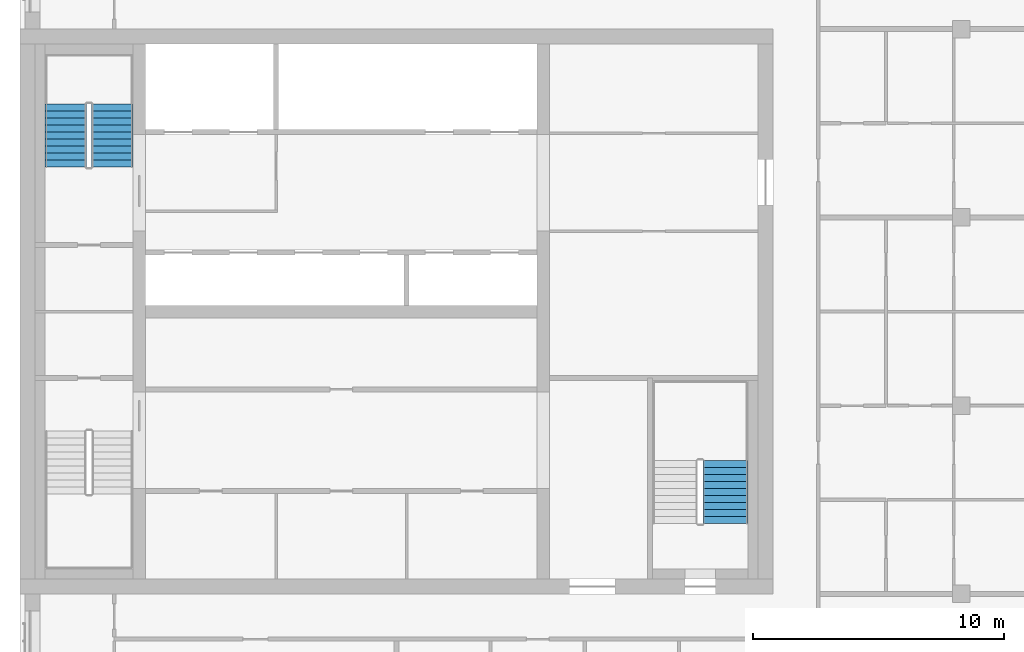
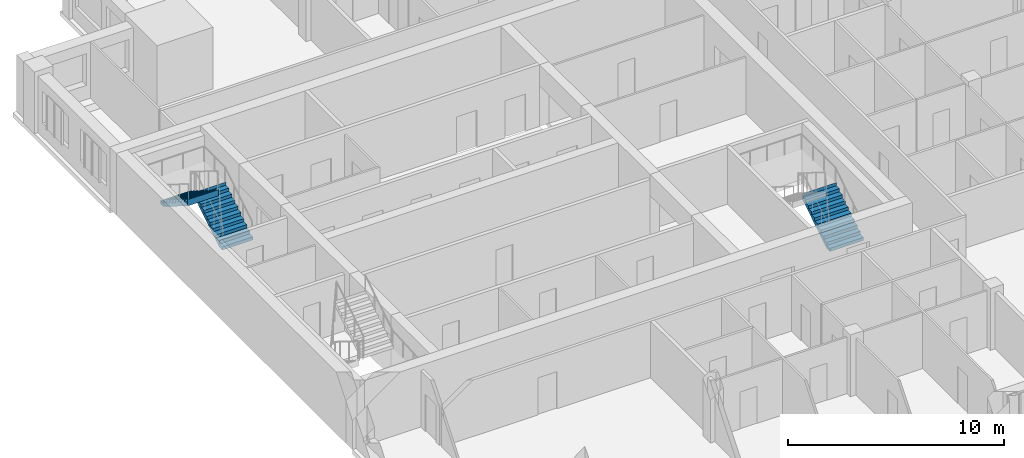
# One storey, part 9 of 10: 3 stair flights, 2 elements without a shape of their own.
"""IFC4 building model written with IfcOpenShell, lengths in metres."""

import ifcopenshell
import ifcopenshell.guid

model = None  # the IFC model being written
_history = None  # IfcOwnerHistory: only IFC2X3 demands one
_inside = {}  # id of a spatial element -> (the spatial element, [elements in it])
_under = {}  # id of a project, library or spatial element -> (it, [spatial elements below it])
_declared = {}  # id of a project -> (the project, [libraries it declares])
_typed = {}  # id of a type object -> (the type object, [elements of that type])
_made_of = {}  # id of a material, layer set ... -> (it, [elements and type objects made of it])


def new_model(schema):
    """Start an empty IFC model of exactly this schema.

    Asked for "IFC4X3", IfcOpenShell would pick the latest addendum, in which some entities
    have other attributes; the version numbers below select the first issue.
    IFC2X3 requires an IfcOwnerHistory on every rooted entity: one is made here for all.
    """
    global model, _history
    if schema == "IFC4X3":
        model = ifcopenshell.file(schema_version=(4, 3, 0, 0))
    else:
        model = ifcopenshell.file(schema=schema)
    _inside.clear()
    _under.clear()
    _declared.clear()
    _typed.clear()
    _made_of.clear()
    _history = None
    if model.schema == "IFC2X3":
        org = make("IfcOrganization", Name="unknown")
        user = make(
            "IfcPersonAndOrganization",
            ThePerson=make("IfcPerson", FamilyName="unknown"),
            TheOrganization=org,
        )
        app = make(
            "IfcApplication",
            ApplicationDeveloper=org,
            Version="unknown",
            ApplicationFullName="unknown",
            ApplicationIdentifier="unknown",
        )
        _history = make(
            "IfcOwnerHistory",
            OwningUser=user,
            OwningApplication=app,
            ChangeAction="ADDED",
            CreationDate=0,
        )
    return model


def make(cls, **values):
    """One entity of the class cls with the attributes given. An attribute that is None is left unset."""
    return model.create_entity(
        cls, **{name: value for name, value in values.items() if value is not None}
    )


def rooted(cls, **values):
    """An entity with a GlobalId (a new one), such as an element, a storey or a relation."""
    return make(cls, GlobalId=ifcopenshell.guid.new(), OwnerHistory=_history, **values)


def si_unit(unit_type, name, prefix=None):
    """IfcSIUnit, for example si_unit("LENGTHUNIT", "METRE", prefix="MILLI")."""
    return make("IfcSIUnit", UnitType=unit_type, Prefix=prefix, Name=name)


def assignment(units):
    """IfcUnitAssignment: the units of a project."""
    return None if units is None else make("IfcUnitAssignment", Units=units)


def point(xyz):
    """IfcCartesianPoint."""
    return None if xyz is None else make("IfcCartesianPoint", Coordinates=xyz)


def direction(xyz):
    """IfcDirection."""
    return None if xyz is None else make("IfcDirection", DirectionRatios=xyz)


def frame(location, z_axis=None, x_axis=None):
    """IfcAxis2Placement3D, a coordinate frame: its origin and axes. An axis left out is left unset."""
    return make(
        "IfcAxis2Placement3D",
        Location=point(location),
        Axis=direction(z_axis),
        RefDirection=direction(x_axis),
    )


def origin():
    """The frame at (0, 0, 0) with its axes left unset."""
    return frame((0.0, 0.0, 0.0))


def place(relative_to, where):
    """IfcLocalPlacement: puts the frame where relative to a parent placement (None: the world)."""
    return make(
        "IfcLocalPlacement", PlacementRelTo=relative_to, RelativePlacement=where
    )


def context(
    kind, dimensions, precision=None, world=None, true_north=None, identifier=None
):
    """IfcGeometricRepresentationContext, for example the 3D "Model" context."""
    return make(
        "IfcGeometricRepresentationContext",
        ContextIdentifier=identifier,
        ContextType=kind,
        CoordinateSpaceDimension=dimensions,
        Precision=precision,
        WorldCoordinateSystem=world,
        TrueNorth=true_north,
    )


def subcontext(parent, identifier, kind, view, scale=None):
    """IfcGeometricRepresentationSubContext, for example "Body" below "Model"."""
    return make(
        "IfcGeometricRepresentationSubContext",
        ContextIdentifier=identifier,
        ContextType=kind,
        ParentContext=parent,
        TargetScale=scale,
        TargetView=view,
    )


def project(units=None, contexts=None):
    """IfcProject with its units and contexts."""
    return rooted(
        "IfcProject",
        Name="project",
        RepresentationContexts=contexts,
        UnitsInContext=assignment(units),
    )


def spatial(cls, under=None, at=None, **own):
    """A site, building, storey or space (cls), placed at a placement, below another one or the project."""
    s = rooted(cls, ObjectPlacement=at, **own)
    if under is not None:
        _under.setdefault(under.id(), (under, []))[1].append(s)
    return s


def polyline(points):
    """IfcPolyline through the points."""
    return make("IfcPolyline", Points=[point(p) for p in points])


def outline(outer, holes=None, kind="AREA"):
    """IfcArbitraryClosedProfileDef: a profile drawn as a closed curve; with holes, ...WithVoids."""
    if holes is None:
        return make("IfcArbitraryClosedProfileDef", ProfileType=kind, OuterCurve=outer)
    return make(
        "IfcArbitraryProfileDefWithVoids",
        ProfileType=kind,
        OuterCurve=outer,
        InnerCurves=holes,
    )


def extrude(swept, where, along, depth):
    """IfcExtrudedAreaSolid: the profile swept, set in the frame where, extruded along a direction by depth."""
    return make(
        "IfcExtrudedAreaSolid",
        SweptArea=swept,
        Position=where,
        ExtrudedDirection=direction(along),
        Depth=depth,
    )


def shape(context_of_items, identifier, shape_type, items):
    """IfcShapeRepresentation: the items that make up one representation, for example the "Body"."""
    return make(
        "IfcShapeRepresentation",
        ContextOfItems=context_of_items,
        RepresentationIdentifier=identifier,
        RepresentationType=shape_type,
        Items=items,
    )


def material(Name=None, Category=None):
    """IfcMaterial."""
    return make("IfcMaterial", Name=Name, Category=Category)


def made_of(thing, what):
    """Note that an element or type object is made of a material, layer set ...; save() writes the relation."""
    if what is not None:
        _made_of.setdefault(what.id(), (what, []))[1].append(thing)
    return thing


def type_object(cls, material=None, **own):
    """A type object (cls), such as IfcWallType, which elements share."""
    return made_of(rooted(cls, **own), material)


def element(
    cls,
    number,
    at=None,
    inside=None,
    cuts=None,
    type_object=None,
    material=None,
    context=None,
    identifier="Body",
    shape_type=None,
    held_by="IfcProductDefinitionShape",
    body=None,
    shapes=None,
    **own,
):
    """One element of the class cls, such as IfcWall. Its Tag is "e" and its number.

    at: its placement. inside: the storey or other place that contains it. cuts: it is an
    opening in that element (IfcRelVoidsElement). A single representation is given by context,
    identifier, shape_type and body (its items); several are given by shapes. held_by: the class
    of the entity that holds the representations. save() writes the other relations.
    """
    e = rooted(cls, Tag="e%d" % number, ObjectPlacement=at, **own)
    if body is not None:
        shapes = [shape(context, identifier, shape_type, body)]
    if shapes is not None:
        e.Representation = make(held_by, Representations=shapes)
    if inside is not None:
        _inside.setdefault(inside.id(), (inside, []))[1].append(e)
    if cuts is not None:
        rooted(
            "IfcRelVoidsElement", RelatingBuildingElement=cuts, RelatedOpeningElement=e
        )
    if type_object is not None:
        _typed.setdefault(type_object.id(), (type_object, []))[1].append(e)
    return made_of(e, material)


def aggregate(whole, parts):
    """IfcRelAggregates: a whole, such as a stair, and the parts it consists of."""
    return rooted("IfcRelAggregates", RelatingObject=whole, RelatedObjects=parts)


def save(model, path):
    """Write the relations noted so far, then the file.

    IfcRelAggregates (storeys below a building ...), IfcRelContainedInSpatialStructure (elements
    in a storey), IfcRelDefinesByType, IfcRelAssociatesMaterial and IfcRelDeclares: one each for
    every whole, place, type object, material and project.
    """
    for whole, parts in _under.values():
        aggregate(whole, parts)
    for where, things in _inside.values():
        rooted(
            "IfcRelContainedInSpatialStructure",
            RelatedElements=things,
            RelatingStructure=where,
        )
    for kind, things in _typed.values():
        rooted("IfcRelDefinesByType", RelatedObjects=things, RelatingType=kind)
    for what, things in _made_of.values():
        rooted("IfcRelAssociatesMaterial", RelatedObjects=things, RelatingMaterial=what)
    for by, libraries in _declared.values():
        rooted("IfcRelDeclares", RelatingContext=by, RelatedDefinitions=libraries)
    model.write(path)


model = new_model("IFC4")

# Units and contexts
model_context = context("Model", 3, precision=1e-05, world=origin(), true_north=direction((0.0, 1.0)))
body_context = subcontext(model_context, "Body", "Model", "MODEL_VIEW")
ifc_project = project(units=[si_unit("LENGTHUNIT", "METRE"), si_unit("AREAUNIT", "SQUARE_METRE"), si_unit("VOLUMEUNIT", "CUBIC_METRE"), si_unit("PLANEANGLEUNIT", "RADIAN"), si_unit("MASSUNIT", "GRAM", prefix="KILO")], contexts=[model_context])

# Site, building, storey
site_placement = place(None, origin())
site = spatial("IfcSite", under=ifc_project, at=site_placement, CompositionType="ELEMENT")
building_placement = place(site_placement, origin())
building = spatial("IfcBuilding", under=site, at=building_placement, Name="Tamorin Gate", CompositionType="ELEMENT")
storey_placement = place(building_placement, frame((0.0, 0.0, 283.699951171875)))
storey = spatial("IfcBuildingStorey", under=building, at=storey_placement, Name="L71", CompositionType="ELEMENT", Elevation=283.699951171875)

# Stair, stair flights
ifc_material = material(Name="Concrete C40/50", Category="concrete")
stair_type = type_object("IfcStairType", Name="Exit stair", PredefinedType="HALF_TURN_STAIR", material=ifc_material)
stair_1_placement = place(storey_placement, origin())
stair_1 = element("IfcStair", 1, at=stair_1_placement, inside=storey, type_object=stair_type, Name="L71 stair ST2", PredefinedType="HALF_TURN_STAIR")
stair_flight_type = type_object("IfcStairFlightType", Name="Exit stair flight", PredefinedType="STRAIGHT", material=ifc_material)
stair_flight_1_placement = place(storey_placement, frame((33.675048828125, 77.0, 0.0), z_axis=(0.0, 0.0, 1.0), x_axis=(0.0, 1.0, 0.0)))
stair_flight_1 = element("IfcStairFlight", 2, at=stair_flight_1_placement, type_object=stair_flight_type, Name="ST2 flight 1", NumberOfRisers=10, NumberOfTreads=9, PredefinedType="STRAIGHT", RiserHeight=0.175, TreadLength=0.28, context=body_context, shape_type="SweptSolid", body=[
    extrude(outline(polyline([(-0.00048828125, 0.0), (-0.00048828125, 0.001708984375), (-0.00048828125, 0.00341796875), (-0.00048828125, 0.005126953125), (-0.00048828125, 0.0068359375), (-0.00048828125, 0.008544921875), (-0.00048828125, 0.010498046875), (-0.00048828125, 0.01220703125), (-0.00048828125, 0.013916015625), (-0.00048828125, 0.015625), (-0.00048828125, 0.017333984375), (-0.00048828125, 0.01904296875), (-0.00048828125, 0.020751953125), (-0.00048828125, 0.0224609375), (-0.00048828125, 0.024169921875), (-0.00048828125, 0.02587890625), (-0.00048828125, 0.02783203125), (-0.00048828125, 0.029541015625), (-0.00048828125, 0.03125), (-0.00048828125, 0.032958984375), (-0.00048828125, 0.03466796875), (-0.00048828125, 0.036376953125), (-0.00048828125, 0.0380859375), (-0.00048828125, 0.039794921875), (-0.00048828125, 0.04150390625), (-0.00048828125, 0.043212890625), (-0.00048828125, 0.045166015625), (-0.00048828125, 0.046875), (-0.00048828125, 0.048583984375), (-0.00048828125, 0.05029296875), (-0.00048828125, 0.052001953125), (-0.00048828125, 0.0537109375), (-0.00048828125, 0.055419921875), (-0.00048828125, 0.05712890625), (-0.00048828125, 0.058837890625), (-0.00048828125, 0.060546875), (-0.00048828125, 0.062255859375), (-0.00048828125, 0.064208984375), (-0.00048828125, 0.06591796875), (-0.00048828125, 0.067626953125), (-0.00048828125, 0.0693359375), (-0.00048828125, 0.071044921875), (-0.00048828125, 0.07275390625), (-0.00048828125, 0.074462890625), (-0.00048828125, 0.076171875), (-0.00048828125, 0.077880859375), (-0.00048828125, 0.07958984375), (-0.00048828125, 0.08154296875), (-0.00048828125, 0.083251953125), (-0.00048828125, 0.0849609375), (-0.00048828125, 0.086669921875), (-0.00048828125, 0.08837890625), (-0.00048828125, 0.090087890625), (-0.00048828125, 0.091796875), (-0.00048828125, 0.093505859375), (-0.00048828125, 0.09521484375), (-0.00048828125, 0.096923828125), (-0.00048828125, 0.098876953125), (-0.00048828125, 0.1005859375), (-0.00048828125, 0.102294921875), (-0.00048828125, 0.10400390625), (-0.00048828125, 0.105712890625), (-0.00048828125, 0.107421875), (-0.00048828125, 0.109130859375), (-0.00048828125, 0.11083984375), (-0.00048828125, 0.112548828125), (-0.00048828125, 0.1142578125), (-0.00048828125, 0.1162109375), (-0.00048828125, 0.117919921875), (-0.00048828125, 0.11962890625), (-0.00048828125, 0.121337890625), (-0.00048828125, 0.123046875), (-0.00048828125, 0.124755859375), (-0.00048828125, 0.12646484375), (-0.00048828125, 0.128173828125), (-0.00048828125, 0.1298828125), (-0.00048828125, 0.131591796875), (-0.00048828125, 0.13330078125), (-0.00048828125, 0.13525390625), (-0.00048828125, 0.136962890625), (-0.00048828125, 0.138671875), (-0.00048828125, 0.140380859375), (-0.00048828125, 0.14208984375), (-0.00048828125, 0.143798828125), (-0.00048828125, 0.1455078125), (-0.00048828125, 0.147216796875), (-0.00048828125, 0.14892578125), (-0.00048828125, 0.150634765625), (-0.00048828125, 0.152587890625), (-0.00048828125, 0.154296875), (-0.00048828125, 0.156005859375), (-0.00048828125, 0.15771484375), (-0.00048828125, 0.159423828125), (-0.00048828125, 0.1611328125), (-0.00048828125, 0.162841796875), (-0.00048828125, 0.16455078125), (-0.00048828125, 0.166259765625), (-0.00048828125, 0.16796875), (-0.00048828125, 0.169921875), (-0.00048828125, 0.171630859375), (-0.00048828125, 0.17333984375), (-0.00048828125, 0.175048828125), (0.280029296875, 0.175048828125), (0.280029296875, 0.35009765625), (0.56005859375, 0.35009765625), (0.56005859375, 0.52490234375), (0.840087890625, 0.52490234375), (0.840087890625, 0.699951171875), (1.1201171875, 0.699951171875), (1.1201171875, 0.875), (1.39990234375, 0.875), (1.39990234375, 1.050048828125), (1.679931640625, 1.050048828125), (1.679931640625, 1.22509765625), (1.9599609375, 1.22509765625), (1.9599609375, 1.39990234375), (2.239990234375, 1.39990234375), (2.239990234375, 1.574951171875), (2.52001953125, 1.574951171875), (2.52001953125, 1.75), (2.5205078125, 1.75), (2.5205078125, 1.74658203125), (2.5205078125, 1.742919921875), (2.5205078125, 1.739501953125), (2.5205078125, 1.736083984375), (2.5205078125, 1.732666015625), (2.5205078125, 1.72900390625), (2.5205078125, 1.7255859375), (2.5205078125, 1.72216796875), (2.5205078125, 1.71875), (2.5205078125, 1.715087890625), (2.5205078125, 1.711669921875), (2.5205078125, 1.708251953125), (2.5205078125, 1.704833984375), (2.5205078125, 1.701171875), (2.5205078125, 1.69775390625), (2.5205078125, 1.6943359375), (2.5205078125, 1.690673828125), (2.5205078125, 1.687255859375), (2.5205078125, 1.683837890625), (2.5205078125, 1.680419921875), (2.5205078125, 1.6767578125), (2.5205078125, 1.67333984375), (2.5205078125, 1.669921875), (2.5205078125, 1.66650390625), (2.5205078125, 1.662841796875), (2.5205078125, 1.659423828125), (2.5205078125, 1.656005859375), (2.5205078125, 1.652587890625), (2.5205078125, 1.64892578125), (2.5205078125, 1.6455078125), (2.5205078125, 1.64208984375), (2.5205078125, 1.638427734375), (2.5205078125, 1.635009765625), (2.5205078125, 1.631591796875), (2.5205078125, 1.628173828125), (2.5205078125, 1.62451171875), (2.5205078125, 1.62109375), (2.5205078125, 1.61767578125), (2.5205078125, 1.6142578125), (2.5205078125, 1.610595703125), (2.5205078125, 1.607177734375), (2.5205078125, 1.603759765625), (2.5205078125, 1.600341796875), (2.5205078125, 1.5966796875), (2.5205078125, 1.59326171875), (2.5205078125, 1.58984375), (2.5205078125, 1.58642578125), (2.5205078125, 1.582763671875), (2.5205078125, 1.579345703125), (2.5205078125, 1.575927734375), (2.5205078125, 1.572265625), (2.5205078125, 1.56884765625), (2.5205078125, 1.5654296875), (2.5205078125, 1.56201171875), (2.5205078125, 1.558349609375), (2.5205078125, 1.554931640625), (2.5205078125, 1.551513671875), (2.5205078125, 1.548095703125), (2.5205078125, 1.54443359375), (2.5205078125, 1.541015625), (2.5205078125, 1.53759765625), (2.5205078125, 1.5341796875), (2.5205078125, 1.530517578125), (2.5205078125, 1.527099609375), (2.5205078125, 1.523681640625), (2.5205078125, 1.52001953125), (2.5205078125, 1.5166015625), (2.5205078125, 1.51318359375), (2.5205078125, 1.509765625), (2.5205078125, 1.506103515625), (2.5205078125, 1.502685546875), (2.5205078125, 1.499267578125), (2.5205078125, 1.495849609375), (2.5205078125, 1.4921875), (2.5205078125, 1.48876953125), (2.5205078125, 1.4853515625), (2.5205078125, 1.48193359375), (2.5205078125, 1.478271484375), (2.5205078125, 1.474853515625), (2.5205078125, 1.471435546875), (2.5205078125, 1.4677734375), (2.5205078125, 1.46435546875), (2.5205078125, 1.4609375), (2.5205078125, 1.45751953125), (2.5205078125, 1.453857421875), (2.5205078125, 1.450439453125), (2.5205078125, 1.447021484375), (2.5205078125, 1.443603515625), (2.5205078125, 1.43994140625), (2.5205078125, 1.4365234375), (2.5205078125, 1.43310546875), (2.5205078125, 1.4296875), (2.5205078125, 1.426025390625), (2.5205078125, 1.422607421875), (2.5205078125, 1.419189453125), (2.5205078125, 1.41552734375), (2.5205078125, 1.412109375), (2.5205078125, 1.40869140625), (2.5205078125, 1.4052734375), (2.5205078125, 1.401611328125), (2.5205078125, 1.398193359375), (2.52001953125, 1.398193359375), (0.28271484375, 0.0), (-0.00048828125, 0.0)])), frame((0.0, 0.824951171875, 0.0), z_axis=(0.0, -1.0, 0.0), x_axis=(1.0, 0.0, 0.0)), (0.0, 0.0, 1.0), 1.64990234375),
])
stair_flight_2_placement = place(storey_placement, frame((31.824951171875, 79.52001953125, 1.75), z_axis=(0.0, 0.0, 1.0), x_axis=(0.0, -1.0, 0.0)))
stair_flight_2 = element("IfcStairFlight", 3, at=stair_flight_2_placement, type_object=stair_flight_type, Name="ST2 flight 2", NumberOfRisers=10, NumberOfTreads=9, PredefinedType="STRAIGHT", RiserHeight=0.175, TreadLength=0.28, context=body_context, shape_type="SweptSolid", body=[
    extrude(outline(polyline([(-0.00048828125, 0.0), (-0.00048828125, 0.001708984375), (-0.00048828125, 0.00341796875), (-0.00048828125, 0.005126953125), (-0.00048828125, 0.0068359375), (-0.00048828125, 0.008544921875), (-0.00048828125, 0.010498046875), (-0.00048828125, 0.01220703125), (-0.00048828125, 0.013916015625), (-0.00048828125, 0.015625), (-0.00048828125, 0.017333984375), (-0.00048828125, 0.01904296875), (-0.00048828125, 0.020751953125), (-0.00048828125, 0.0224609375), (-0.00048828125, 0.024169921875), (-0.00048828125, 0.02587890625), (-0.00048828125, 0.02783203125), (-0.00048828125, 0.029541015625), (-0.00048828125, 0.03125), (-0.00048828125, 0.032958984375), (-0.00048828125, 0.03466796875), (-0.00048828125, 0.036376953125), (-0.00048828125, 0.0380859375), (-0.00048828125, 0.039794921875), (-0.00048828125, 0.04150390625), (-0.00048828125, 0.043212890625), (-0.00048828125, 0.045166015625), (-0.00048828125, 0.046875), (-0.00048828125, 0.048583984375), (-0.00048828125, 0.05029296875), (-0.00048828125, 0.052001953125), (-0.00048828125, 0.0537109375), (-0.00048828125, 0.055419921875), (-0.00048828125, 0.05712890625), (-0.00048828125, 0.058837890625), (-0.00048828125, 0.060546875), (-0.00048828125, 0.062255859375), (-0.00048828125, 0.064208984375), (-0.00048828125, 0.06591796875), (-0.00048828125, 0.067626953125), (-0.00048828125, 0.0693359375), (-0.00048828125, 0.071044921875), (-0.00048828125, 0.07275390625), (-0.00048828125, 0.074462890625), (-0.00048828125, 0.076171875), (-0.00048828125, 0.077880859375), (-0.00048828125, 0.07958984375), (-0.00048828125, 0.08154296875), (-0.00048828125, 0.083251953125), (-0.00048828125, 0.0849609375), (-0.00048828125, 0.086669921875), (-0.00048828125, 0.08837890625), (-0.00048828125, 0.090087890625), (-0.00048828125, 0.091796875), (-0.00048828125, 0.093505859375), (-0.00048828125, 0.09521484375), (-0.00048828125, 0.096923828125), (-0.00048828125, 0.098876953125), (-0.00048828125, 0.1005859375), (-0.00048828125, 0.102294921875), (-0.00048828125, 0.10400390625), (-0.00048828125, 0.105712890625), (-0.00048828125, 0.107421875), (-0.00048828125, 0.109130859375), (-0.00048828125, 0.11083984375), (-0.00048828125, 0.112548828125), (-0.00048828125, 0.1142578125), (-0.00048828125, 0.1162109375), (-0.00048828125, 0.117919921875), (-0.00048828125, 0.11962890625), (-0.00048828125, 0.121337890625), (-0.00048828125, 0.123046875), (-0.00048828125, 0.124755859375), (-0.00048828125, 0.12646484375), (-0.00048828125, 0.128173828125), (-0.00048828125, 0.1298828125), (-0.00048828125, 0.131591796875), (-0.00048828125, 0.13330078125), (-0.00048828125, 0.13525390625), (-0.00048828125, 0.136962890625), (-0.00048828125, 0.138671875), (-0.00048828125, 0.140380859375), (-0.00048828125, 0.14208984375), (-0.00048828125, 0.143798828125), (-0.00048828125, 0.1455078125), (-0.00048828125, 0.147216796875), (-0.00048828125, 0.14892578125), (-0.00048828125, 0.150634765625), (-0.00048828125, 0.152587890625), (-0.00048828125, 0.154296875), (-0.00048828125, 0.156005859375), (-0.00048828125, 0.15771484375), (-0.00048828125, 0.159423828125), (-0.00048828125, 0.1611328125), (-0.00048828125, 0.162841796875), (-0.00048828125, 0.16455078125), (-0.00048828125, 0.166259765625), (-0.00048828125, 0.16796875), (-0.00048828125, 0.169921875), (-0.00048828125, 0.171630859375), (-0.00048828125, 0.17333984375), (-0.00048828125, 0.175048828125), (0.280029296875, 0.175048828125), (0.280029296875, 0.35009765625), (0.56005859375, 0.35009765625), (0.56005859375, 0.52490234375), (0.840087890625, 0.52490234375), (0.840087890625, 0.699951171875), (1.1201171875, 0.699951171875), (1.1201171875, 0.875), (1.39990234375, 0.875), (1.39990234375, 1.050048828125), (1.679931640625, 1.050048828125), (1.679931640625, 1.22509765625), (1.9599609375, 1.22509765625), (1.9599609375, 1.39990234375), (2.239990234375, 1.39990234375), (2.239990234375, 1.574951171875), (2.52001953125, 1.574951171875), (2.52001953125, 1.75), (2.5205078125, 1.75), (2.5205078125, 1.74658203125), (2.5205078125, 1.742919921875), (2.5205078125, 1.739501953125), (2.5205078125, 1.736083984375), (2.5205078125, 1.732666015625), (2.5205078125, 1.72900390625), (2.5205078125, 1.7255859375), (2.5205078125, 1.72216796875), (2.5205078125, 1.71875), (2.5205078125, 1.715087890625), (2.5205078125, 1.711669921875), (2.5205078125, 1.708251953125), (2.5205078125, 1.704833984375), (2.5205078125, 1.701171875), (2.5205078125, 1.69775390625), (2.5205078125, 1.6943359375), (2.5205078125, 1.690673828125), (2.5205078125, 1.687255859375), (2.5205078125, 1.683837890625), (2.5205078125, 1.680419921875), (2.5205078125, 1.6767578125), (2.5205078125, 1.67333984375), (2.5205078125, 1.669921875), (2.5205078125, 1.66650390625), (2.5205078125, 1.662841796875), (2.5205078125, 1.659423828125), (2.5205078125, 1.656005859375), (2.5205078125, 1.652587890625), (2.5205078125, 1.64892578125), (2.5205078125, 1.6455078125), (2.5205078125, 1.64208984375), (2.5205078125, 1.638427734375), (2.5205078125, 1.635009765625), (2.5205078125, 1.631591796875), (2.5205078125, 1.628173828125), (2.5205078125, 1.62451171875), (2.5205078125, 1.62109375), (2.5205078125, 1.61767578125), (2.5205078125, 1.6142578125), (2.5205078125, 1.610595703125), (2.5205078125, 1.607177734375), (2.5205078125, 1.603759765625), (2.5205078125, 1.600341796875), (2.5205078125, 1.5966796875), (2.5205078125, 1.59326171875), (2.5205078125, 1.58984375), (2.5205078125, 1.58642578125), (2.5205078125, 1.582763671875), (2.5205078125, 1.579345703125), (2.5205078125, 1.575927734375), (2.5205078125, 1.572265625), (2.5205078125, 1.56884765625), (2.5205078125, 1.5654296875), (2.5205078125, 1.56201171875), (2.5205078125, 1.558349609375), (2.5205078125, 1.554931640625), (2.5205078125, 1.551513671875), (2.5205078125, 1.548095703125), (2.5205078125, 1.54443359375), (2.5205078125, 1.541015625), (2.5205078125, 1.53759765625), (2.5205078125, 1.5341796875), (2.5205078125, 1.530517578125), (2.5205078125, 1.527099609375), (2.5205078125, 1.523681640625), (2.5205078125, 1.52001953125), (2.5205078125, 1.5166015625), (2.5205078125, 1.51318359375), (2.5205078125, 1.509765625), (2.5205078125, 1.506103515625), (2.5205078125, 1.502685546875), (2.5205078125, 1.499267578125), (2.5205078125, 1.495849609375), (2.5205078125, 1.4921875), (2.5205078125, 1.48876953125), (2.5205078125, 1.4853515625), (2.5205078125, 1.48193359375), (2.5205078125, 1.478271484375), (2.5205078125, 1.474853515625), (2.5205078125, 1.471435546875), (2.5205078125, 1.4677734375), (2.5205078125, 1.46435546875), (2.5205078125, 1.4609375), (2.5205078125, 1.45751953125), (2.5205078125, 1.453857421875), (2.5205078125, 1.450439453125), (2.5205078125, 1.447021484375), (2.5205078125, 1.443603515625), (2.5205078125, 1.43994140625), (2.5205078125, 1.4365234375), (2.5205078125, 1.43310546875), (2.5205078125, 1.4296875), (2.5205078125, 1.426025390625), (2.5205078125, 1.422607421875), (2.5205078125, 1.419189453125), (2.5205078125, 1.41552734375), (2.5205078125, 1.412109375), (2.5205078125, 1.40869140625), (2.5205078125, 1.4052734375), (2.5205078125, 1.401611328125), (2.5205078125, 1.398193359375), (2.52001953125, 1.398193359375), (0.28271484375, 0.0), (-0.00048828125, 0.0)])), frame((0.0, 0.824951171875, 0.0), z_axis=(0.0, -1.0, 0.0), x_axis=(1.0, 0.0, 0.0)), (0.0, 0.0, 1.0), 1.64990234375),
])
aggregate(stair_1, [stair_flight_1, stair_flight_2])

# Stair, stair flight
stair_2_placement = place(storey_placement, origin())
stair_2 = element("IfcStair", 4, at=stair_2_placement, inside=storey, type_object=stair_type, Name="L71 stair ST3", PredefinedType="HALF_TURN_STAIR")
stair_flight_3_placement = place(storey_placement, frame((58.10009765625, 62.800048828125, 0.0), z_axis=(0.0, 0.0, 1.0), x_axis=(0.0, 1.0, 0.0)))
stair_flight_3 = element("IfcStairFlight", 5, at=stair_flight_3_placement, type_object=stair_flight_type, Name="ST3 flight 1", NumberOfRisers=10, NumberOfTreads=9, PredefinedType="STRAIGHT", RiserHeight=0.175, TreadLength=0.28, context=body_context, shape_type="SweptSolid", body=[
    extrude(outline(polyline([(-0.00048828125, 0.0), (-0.00048828125, 0.001708984375), (-0.00048828125, 0.00341796875), (-0.00048828125, 0.005126953125), (-0.00048828125, 0.0068359375), (-0.00048828125, 0.008544921875), (-0.00048828125, 0.010498046875), (-0.00048828125, 0.01220703125), (-0.00048828125, 0.013916015625), (-0.00048828125, 0.015625), (-0.00048828125, 0.017333984375), (-0.00048828125, 0.01904296875), (-0.00048828125, 0.020751953125), (-0.00048828125, 0.0224609375), (-0.00048828125, 0.024169921875), (-0.00048828125, 0.02587890625), (-0.00048828125, 0.02783203125), (-0.00048828125, 0.029541015625), (-0.00048828125, 0.03125), (-0.00048828125, 0.032958984375), (-0.00048828125, 0.03466796875), (-0.00048828125, 0.036376953125), (-0.00048828125, 0.0380859375), (-0.00048828125, 0.039794921875), (-0.00048828125, 0.04150390625), (-0.00048828125, 0.043212890625), (-0.00048828125, 0.045166015625), (-0.00048828125, 0.046875), (-0.00048828125, 0.048583984375), (-0.00048828125, 0.05029296875), (-0.00048828125, 0.052001953125), (-0.00048828125, 0.0537109375), (-0.00048828125, 0.055419921875), (-0.00048828125, 0.05712890625), (-0.00048828125, 0.058837890625), (-0.00048828125, 0.060546875), (-0.00048828125, 0.062255859375), (-0.00048828125, 0.064208984375), (-0.00048828125, 0.06591796875), (-0.00048828125, 0.067626953125), (-0.00048828125, 0.0693359375), (-0.00048828125, 0.071044921875), (-0.00048828125, 0.07275390625), (-0.00048828125, 0.074462890625), (-0.00048828125, 0.076171875), (-0.00048828125, 0.077880859375), (-0.00048828125, 0.07958984375), (-0.00048828125, 0.08154296875), (-0.00048828125, 0.083251953125), (-0.00048828125, 0.0849609375), (-0.00048828125, 0.086669921875), (-0.00048828125, 0.08837890625), (-0.00048828125, 0.090087890625), (-0.00048828125, 0.091796875), (-0.00048828125, 0.093505859375), (-0.00048828125, 0.09521484375), (-0.00048828125, 0.096923828125), (-0.00048828125, 0.098876953125), (-0.00048828125, 0.1005859375), (-0.00048828125, 0.102294921875), (-0.00048828125, 0.10400390625), (-0.00048828125, 0.105712890625), (-0.00048828125, 0.107421875), (-0.00048828125, 0.109130859375), (-0.00048828125, 0.11083984375), (-0.00048828125, 0.112548828125), (-0.00048828125, 0.1142578125), (-0.00048828125, 0.1162109375), (-0.00048828125, 0.117919921875), (-0.00048828125, 0.11962890625), (-0.00048828125, 0.121337890625), (-0.00048828125, 0.123046875), (-0.00048828125, 0.124755859375), (-0.00048828125, 0.12646484375), (-0.00048828125, 0.128173828125), (-0.00048828125, 0.1298828125), (-0.00048828125, 0.131591796875), (-0.00048828125, 0.13330078125), (-0.00048828125, 0.13525390625), (-0.00048828125, 0.136962890625), (-0.00048828125, 0.138671875), (-0.00048828125, 0.140380859375), (-0.00048828125, 0.14208984375), (-0.00048828125, 0.143798828125), (-0.00048828125, 0.1455078125), (-0.00048828125, 0.147216796875), (-0.00048828125, 0.14892578125), (-0.00048828125, 0.150634765625), (-0.00048828125, 0.152587890625), (-0.00048828125, 0.154296875), (-0.00048828125, 0.156005859375), (-0.00048828125, 0.15771484375), (-0.00048828125, 0.159423828125), (-0.00048828125, 0.1611328125), (-0.00048828125, 0.162841796875), (-0.00048828125, 0.16455078125), (-0.00048828125, 0.166259765625), (-0.00048828125, 0.16796875), (-0.00048828125, 0.169921875), (-0.00048828125, 0.171630859375), (-0.00048828125, 0.17333984375), (-0.00048828125, 0.175048828125), (0.280029296875, 0.175048828125), (0.280029296875, 0.35009765625), (0.56005859375, 0.35009765625), (0.56005859375, 0.52490234375), (0.840087890625, 0.52490234375), (0.840087890625, 0.699951171875), (1.1201171875, 0.699951171875), (1.1201171875, 0.875), (1.39990234375, 0.875), (1.39990234375, 1.050048828125), (1.679931640625, 1.050048828125), (1.679931640625, 1.22509765625), (1.9599609375, 1.22509765625), (1.9599609375, 1.39990234375), (2.239990234375, 1.39990234375), (2.239990234375, 1.574951171875), (2.52001953125, 1.574951171875), (2.52001953125, 1.75), (2.5205078125, 1.75), (2.5205078125, 1.74658203125), (2.5205078125, 1.742919921875), (2.5205078125, 1.739501953125), (2.5205078125, 1.736083984375), (2.5205078125, 1.732666015625), (2.5205078125, 1.72900390625), (2.5205078125, 1.7255859375), (2.5205078125, 1.72216796875), (2.5205078125, 1.71875), (2.5205078125, 1.715087890625), (2.5205078125, 1.711669921875), (2.5205078125, 1.708251953125), (2.5205078125, 1.704833984375), (2.5205078125, 1.701171875), (2.5205078125, 1.69775390625), (2.5205078125, 1.6943359375), (2.5205078125, 1.690673828125), (2.5205078125, 1.687255859375), (2.5205078125, 1.683837890625), (2.5205078125, 1.680419921875), (2.5205078125, 1.6767578125), (2.5205078125, 1.67333984375), (2.5205078125, 1.669921875), (2.5205078125, 1.66650390625), (2.5205078125, 1.662841796875), (2.5205078125, 1.659423828125), (2.5205078125, 1.656005859375), (2.5205078125, 1.652587890625), (2.5205078125, 1.64892578125), (2.5205078125, 1.6455078125), (2.5205078125, 1.64208984375), (2.5205078125, 1.638427734375), (2.5205078125, 1.635009765625), (2.5205078125, 1.631591796875), (2.5205078125, 1.628173828125), (2.5205078125, 1.62451171875), (2.5205078125, 1.62109375), (2.5205078125, 1.61767578125), (2.5205078125, 1.6142578125), (2.5205078125, 1.610595703125), (2.5205078125, 1.607177734375), (2.5205078125, 1.603759765625), (2.5205078125, 1.600341796875), (2.5205078125, 1.5966796875), (2.5205078125, 1.59326171875), (2.5205078125, 1.58984375), (2.5205078125, 1.58642578125), (2.5205078125, 1.582763671875), (2.5205078125, 1.579345703125), (2.5205078125, 1.575927734375), (2.5205078125, 1.572265625), (2.5205078125, 1.56884765625), (2.5205078125, 1.5654296875), (2.5205078125, 1.56201171875), (2.5205078125, 1.558349609375), (2.5205078125, 1.554931640625), (2.5205078125, 1.551513671875), (2.5205078125, 1.548095703125), (2.5205078125, 1.54443359375), (2.5205078125, 1.541015625), (2.5205078125, 1.53759765625), (2.5205078125, 1.5341796875), (2.5205078125, 1.530517578125), (2.5205078125, 1.527099609375), (2.5205078125, 1.523681640625), (2.5205078125, 1.52001953125), (2.5205078125, 1.5166015625), (2.5205078125, 1.51318359375), (2.5205078125, 1.509765625), (2.5205078125, 1.506103515625), (2.5205078125, 1.502685546875), (2.5205078125, 1.499267578125), (2.5205078125, 1.495849609375), (2.5205078125, 1.4921875), (2.5205078125, 1.48876953125), (2.5205078125, 1.4853515625), (2.5205078125, 1.48193359375), (2.5205078125, 1.478271484375), (2.5205078125, 1.474853515625), (2.5205078125, 1.471435546875), (2.5205078125, 1.4677734375), (2.5205078125, 1.46435546875), (2.5205078125, 1.4609375), (2.5205078125, 1.45751953125), (2.5205078125, 1.453857421875), (2.5205078125, 1.450439453125), (2.5205078125, 1.447021484375), (2.5205078125, 1.443603515625), (2.5205078125, 1.43994140625), (2.5205078125, 1.4365234375), (2.5205078125, 1.43310546875), (2.5205078125, 1.4296875), (2.5205078125, 1.426025390625), (2.5205078125, 1.422607421875), (2.5205078125, 1.419189453125), (2.5205078125, 1.41552734375), (2.5205078125, 1.412109375), (2.5205078125, 1.40869140625), (2.5205078125, 1.4052734375), (2.5205078125, 1.401611328125), (2.5205078125, 1.398193359375), (2.52001953125, 1.398193359375), (0.28271484375, 0.0), (-0.00048828125, 0.0)])), frame((0.0, 0.89990234375, 0.0), z_axis=(0.0, -1.0, 0.0), x_axis=(1.0, 0.0, 0.0)), (0.0, 0.0, 1.0), 1.800048828125),
])
aggregate(stair_2, [stair_flight_3])

save(model, "model.ifc")
